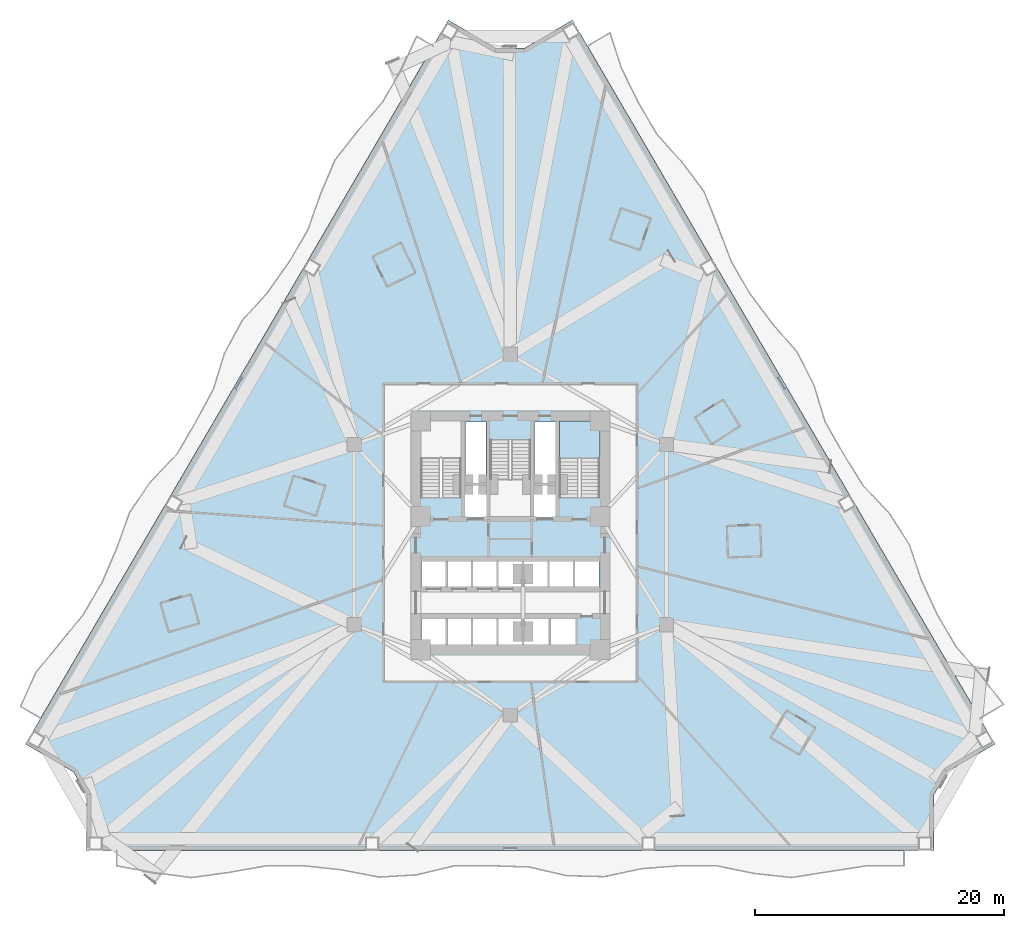
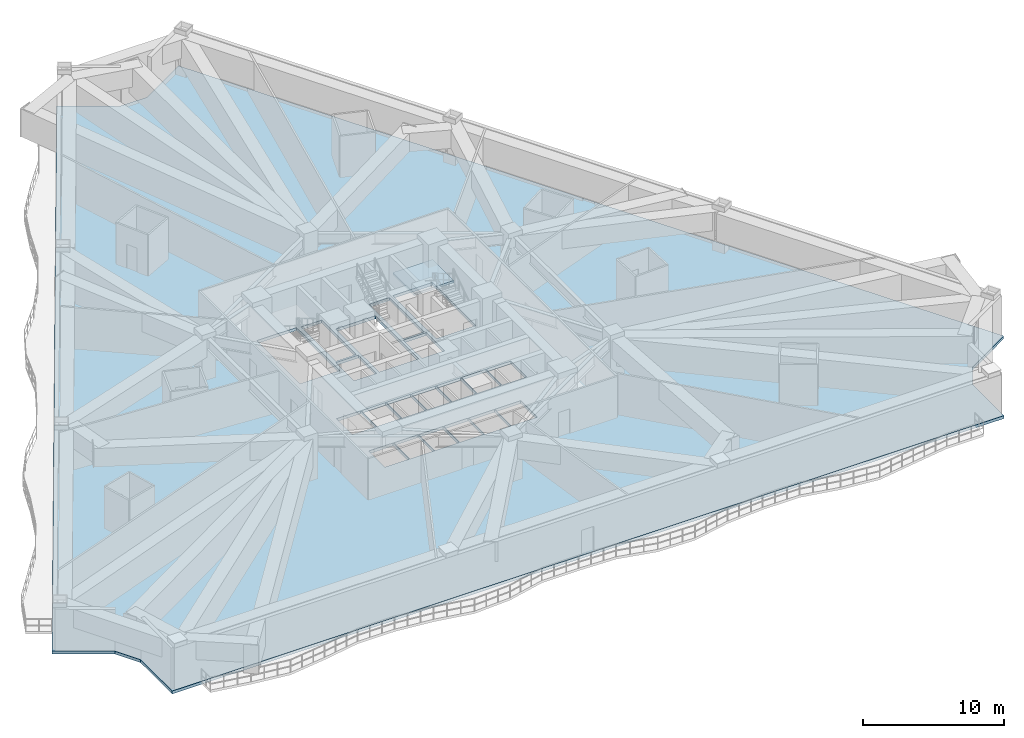
# One storey, part 5 of 16: 2 slabs, 1 element without a shape of its own.
"""IFC4 building model written with IfcOpenShell, lengths in metres."""

from ifc_helpers import new_model, si_unit, direction, frame, origin, place, context, subcontext, project, spatial, polyline, outline, extrude, material, layer, layer_set, type_object, element, aggregate, save


model = new_model("IFC4")

# Units and contexts
model_context = context("Model", 3, precision=1e-05, world=origin(), true_north=direction((0.0, 1.0)))
body_context = subcontext(model_context, "Body", "Model", "MODEL_VIEW")
ifc_project = project(units=[si_unit("LENGTHUNIT", "METRE"), si_unit("AREAUNIT", "SQUARE_METRE"), si_unit("VOLUMEUNIT", "CUBIC_METRE"), si_unit("PLANEANGLEUNIT", "RADIAN"), si_unit("MASSUNIT", "GRAM", prefix="KILO")], contexts=[model_context])

# Site, building, storey
site_placement = place(None, origin())
site = spatial("IfcSite", under=ifc_project, at=site_placement, CompositionType="ELEMENT")
building_placement = place(site_placement, origin())
building = spatial("IfcBuilding", under=site, at=building_placement, Name="Apsidion Concourse Tower", CompositionType="ELEMENT")
storey_placement = place(building_placement, frame((0.0, 0.0, 58.39990234375)))
storey = spatial("IfcBuildingStorey", under=building, at=storey_placement, Name="L12", CompositionType="ELEMENT", Elevation=58.39990234375)

# Slab
ifc_material_1 = material(Name="Concrete C50/60", Category="concrete")
ifc_layer_1 = layer(ifc_material_1, 0.25)
ifc_layer_set_1 = layer_set([ifc_layer_1], Name="Concrete C50/60")
slab_type_1 = type_object("IfcSlabType", Name="SL-FLR-250", PredefinedType="FLOOR", material=ifc_layer_set_1)
slab_1_placement = place(storey_placement, frame((0.0, 0.0, -0.25)))
element("IfcSlab", 1, at=slab_1_placement, inside=storey, type_object=slab_type_1, Name="L12 Structural Floor Slab", PredefinedType="FLOOR", context=body_context, shape_type="SweptSolid", body=[
    extrude(outline(polyline([(4.99462890625, 41.3955078125), (1.13427734375, 39.141357421875), (-1.13427734375, 39.141357421875), (-4.99462890625, 41.3955078125), (-38.99951171875, -16.845458984375), (-35.138916015625, -19.099365234375), (-34.088134765625, -20.9296875), (-34.088134765625, -25.39990234375), (34.088134765625, -25.39990234375), (34.088134765625, -20.9296875), (35.138916015625, -19.099365234375), (38.99951171875, -16.845458984375), (4.99462890625, 41.3955078125)]), holes=[polyline([(-3.949951171875, 3.0), (-3.949951171875, 9.14990234375), (-7.199951171875, 9.14990234375), (-7.199951171875, 3.0), (-3.949951171875, 3.0)]), polyline([(7.199951171875, 3.0), (7.199951171875, 9.14990234375), (3.949951171875, 9.14990234375), (3.949951171875, 3.0), (7.199951171875, 3.0)]), polyline([(-1.625, 7.60009765625), (-1.625, 1.449951171875), (1.625, 1.449951171875), (1.625, 7.60009765625), (-1.625, 7.60009765625)]), polyline([(-7.14501953125, -4.300048828125), (-5.155029296875, -4.300048828125), (-5.155029296875, -2.050048828125), (-7.14501953125, -2.050048828125), (-7.14501953125, -4.300048828125)]), polyline([(-5.094970703125, -4.300048828125), (-3.10498046875, -4.300048828125), (-3.10498046875, -2.050048828125), (-5.094970703125, -2.050048828125), (-5.094970703125, -4.300048828125)]), polyline([(-3.044921875, -4.300048828125), (-1.054931640625, -4.300048828125), (-1.054931640625, -2.050048828125), (-3.044921875, -2.050048828125), (-3.044921875, -4.300048828125)]), polyline([(-0.9951171875, -4.300048828125), (0.9951171875, -4.300048828125), (0.9951171875, -2.050048828125), (-0.9951171875, -2.050048828125), (-0.9951171875, -4.300048828125)]), polyline([(1.054931640625, -4.300048828125), (3.044921875, -4.300048828125), (3.044921875, -2.050048828125), (1.054931640625, -2.050048828125), (1.054931640625, -4.300048828125)]), polyline([(3.10498046875, -4.300048828125), (5.094970703125, -4.300048828125), (5.094970703125, -2.050048828125), (3.10498046875, -2.050048828125), (3.10498046875, -4.300048828125)]), polyline([(5.155029296875, -4.300048828125), (7.14501953125, -4.300048828125), (7.14501953125, -2.050048828125), (5.155029296875, -2.050048828125), (5.155029296875, -4.300048828125)]), polyline([(-7.14501953125, -8.949951171875), (-5.155029296875, -8.949951171875), (-5.155029296875, -6.64990234375), (-7.14501953125, -6.64990234375), (-7.14501953125, -8.949951171875)]), polyline([(-5.094970703125, -8.949951171875), (-3.10498046875, -8.949951171875), (-3.10498046875, -6.64990234375), (-5.094970703125, -6.64990234375), (-5.094970703125, -8.949951171875)]), polyline([(-3.044921875, -8.949951171875), (-1.054931640625, -8.949951171875), (-1.054931640625, -6.64990234375), (-3.044921875, -6.64990234375), (-3.044921875, -8.949951171875)]), polyline([(-0.9951171875, -8.949951171875), (0.9951171875, -8.949951171875), (0.9951171875, -6.64990234375), (-0.9951171875, -6.64990234375), (-0.9951171875, -8.949951171875)]), polyline([(1.044921875, -9.0), (3.155029296875, -9.0), (3.155029296875, -6.64990234375), (1.044921875, -6.64990234375), (1.044921875, -9.0)]), polyline([(3.195068359375, -9.0), (5.304931640625, -9.0), (5.304931640625, -6.64990234375), (3.195068359375, -6.64990234375), (3.195068359375, -9.0)]), polyline([(-3.7099609375, 1.39990234375), (-1.85009765625, 1.39990234375), (-1.85009765625, 4.0), (-3.7099609375, 4.0), (-3.7099609375, 1.39990234375)]), polyline([(1.85009765625, 1.39990234375), (3.7099609375, 1.39990234375), (3.7099609375, 4.0), (1.85009765625, 4.0), (1.85009765625, 1.39990234375)]), polyline([(-3.6201171875, 4.14990234375), (-1.93994140625, 4.14990234375), (-1.93994140625, 9.050048828125), (-3.6201171875, 9.050048828125), (-3.6201171875, 4.14990234375)]), polyline([(1.93994140625, 4.14990234375), (3.6201171875, 4.14990234375), (3.6201171875, 9.050048828125), (1.93994140625, 9.050048828125), (1.93994140625, 4.14990234375)])]), origin(), (0.0, 0.0, 1.0), 0.25),
])

# Stair, slab
ifc_material_2 = material(Name="Precast concrete C40/50", Category="concrete")
stair_type = type_object("IfcStairType", Name="ST-DL-1550", PredefinedType="HALF_TURN_STAIR", material=ifc_material_2)
stair_placement = place(storey_placement, origin())
stair = element("IfcStair", 2, at=stair_placement, inside=storey, type_object=stair_type, Name="L12 Protected Core Exit Stair ST2", PredefinedType="HALF_TURN_STAIR")
ifc_layer_2 = layer(ifc_material_1, 0.199951171875)
ifc_layer_set_2 = layer_set([ifc_layer_2], Name="Concrete C50/60")
slab_type_2 = type_object("IfcSlabType", Name="SL-ST-LAND-200", PredefinedType="LANDING", material=ifc_layer_set_2)
slab_2_placement = place(storey_placement, frame((0.0, 0.0, 1.800048828125)))
slab_2 = element("IfcSlab", 3, at=slab_2_placement, type_object=slab_type_2, Name="ST2 landing 1", PredefinedType="LANDING", context=body_context, shape_type="SweptSolid", body=[
    extrude(outline(polyline([(7.199951171875, 6.135009765625), (7.199951171875, 9.14990234375), (3.949951171875, 9.14990234375), (3.949951171875, 6.135009765625), (7.199951171875, 6.135009765625)])), origin(), (0.0, 0.0, 1.0), 0.199951171875),
])
aggregate(stair, [slab_2])

save(model, "model.ifc")
